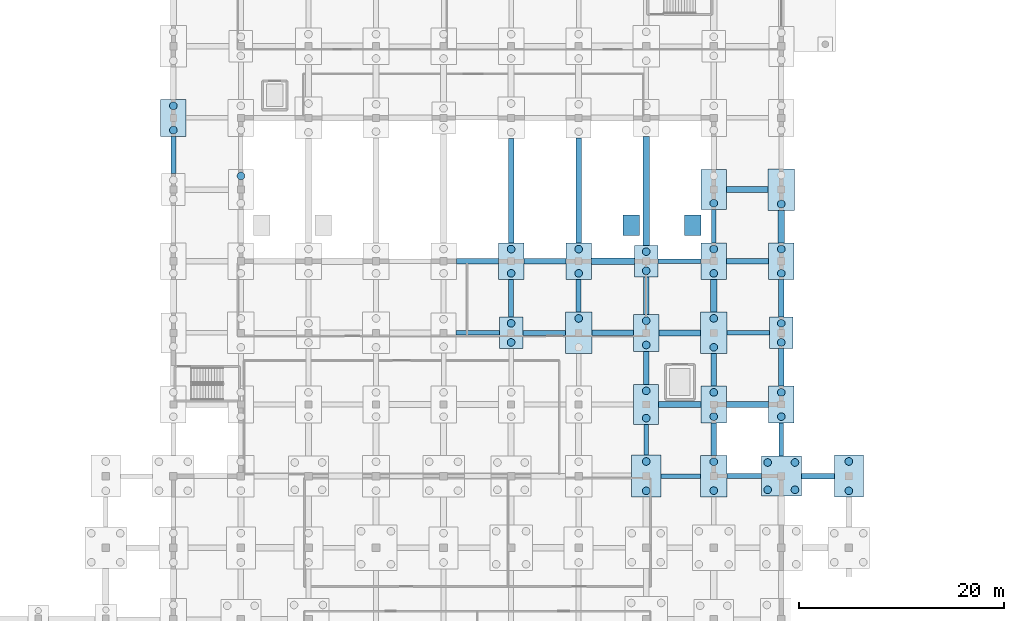
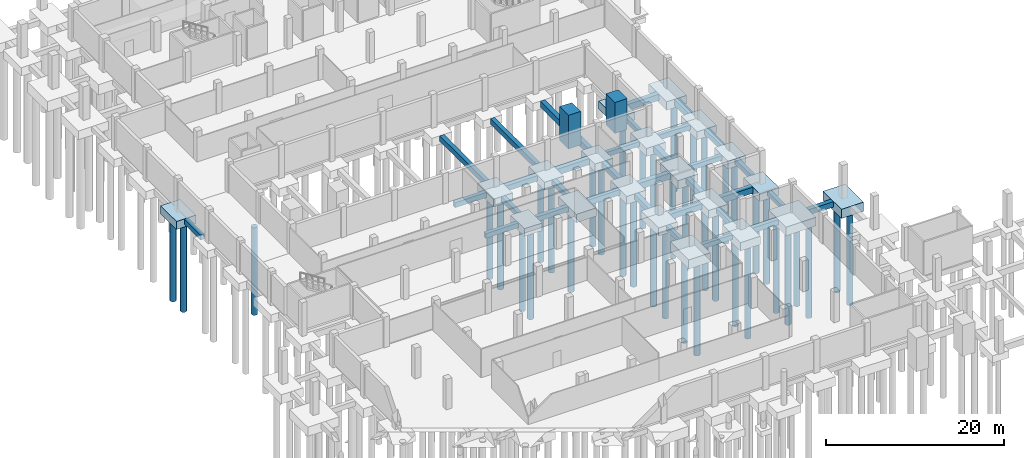
# One storey, part 7 of 27: 55 footings, 40 piles.
"""IFC4 building model written with IfcOpenShell, lengths in metres."""

from ifc_helpers import new_model, si_unit, direction, frame, origin, origin_2d, place, context, subcontext, project, spatial, rectangle, circle, extrude, material, material_profile, profile_set, type_object, element, save


model = new_model("IFC4")

# Units and contexts
model_context = context("Model", 3, precision=1e-05, world=origin(), true_north=direction((0.0, 1.0)))
body_context = subcontext(model_context, "Body", "Model", "MODEL_VIEW")
ifc_project = project(units=[si_unit("LENGTHUNIT", "METRE"), si_unit("AREAUNIT", "SQUARE_METRE"), si_unit("VOLUMEUNIT", "CUBIC_METRE"), si_unit("PLANEANGLEUNIT", "RADIAN"), si_unit("MASSUNIT", "GRAM", prefix="KILO")], contexts=[model_context])

# Site, building, storey
site_placement = place(None, origin())
site = spatial("IfcSite", under=ifc_project, at=site_placement, CompositionType="ELEMENT")
building_placement = place(site_placement, origin())
building = spatial("IfcBuilding", under=site, at=building_placement, Name="Ciguamira Faculty of Natural Sciences", CompositionType="ELEMENT")
storey_placement = place(building_placement, frame((0.0, 0.0, -4.199951171875)))
storey = spatial("IfcBuildingStorey", under=building, at=storey_placement, Name="B1", CompositionType="ELEMENT", Elevation=-4.199951171875)

# Piles
ifc_material = material(Name="Concrete C35/45", Category="concrete")
ifc_material_profile_1 = material_profile(ifc_material, circle(Radius=0.375, at=origin_2d()), Name="PILE-BORED-750")
ifc_profile_set_1 = profile_set([ifc_material_profile_1], Name="Concrete C35/45")
pile_type = type_object("IfcPileType", Name="BoredPile_BP-02_750", PredefinedType="BORED", material=ifc_profile_set_1)
for number, where, z_axis, x_axis, name in (
    (1, (57.300048828125, 71.81494140625, -1.400146484375), (0.0, 0.0, -1.0), (1.0, 0.0, 0.0), "B1 bored pile 043-1"),
    (2, (57.300048828125, 74.18505859375, -1.400146484375), (0.0, 0.0, -1.0), (1.0, 0.0, 0.0), "B1 bored pile 043-2"),
    (3, (63.89990234375, 67.3349609375, -1.400146484375), (0.0, 0.0, -1.0), (1.0, 0.0, 0.0), "B1 bored pile 058-2"),
):
    element("IfcPile", number, at=place(storey_placement, frame(where, z_axis=z_axis, x_axis=x_axis)), inside=storey, type_object=pile_type, Name=name, PredefinedType="BORED", context=body_context, shape_type="SweptSolid", body=[
        extrude(circle(Radius=0.375, at=origin_2d()), origin(), (0.0, 0.0, 1.0), 12.0),
    ])
for number, where, z_axis, x_axis, name in (
    (4, (90.300048828125, 51.06494140625, -1.35009765625), (0.0, 0.0, -1.0), (1.0, 0.0, 0.0), "B1 bored pile 114-1"),
    (5, (90.300048828125, 52.93505859375, -1.35009765625), (0.0, 0.0, -1.0), (1.0, 0.0, 0.0), "B1 bored pile 114-2"),
):
    element("IfcPile", number, at=place(storey_placement, frame(where, z_axis=z_axis, x_axis=x_axis)), inside=storey, type_object=pile_type, Name=name, PredefinedType="BORED", context=body_context, shape_type="SweptSolid", body=[
        extrude(circle(Radius=0.375, at=origin_2d()), origin(), (0.0, 0.0, 1.0), 12.050048828125),
    ])
for number, where, z_axis, x_axis, name in (
    (6, (90.300048828125, 57.81494140625, -1.400146484375), (0.0, 0.0, -1.0), (1.0, 0.0, 0.0), "B1 bored pile 115-1"),
    (7, (90.300048828125, 60.18505859375, -1.400146484375), (0.0, 0.0, -1.0), (1.0, 0.0, 0.0), "B1 bored pile 115-2"),
):
    element("IfcPile", number, at=place(storey_placement, frame(where, z_axis=z_axis, x_axis=x_axis)), inside=storey, type_object=pile_type, Name=name, PredefinedType="BORED", context=body_context, shape_type="SweptSolid", body=[
        extrude(circle(Radius=0.375, at=origin_2d()), origin(), (0.0, 0.0, 1.0), 12.0),
    ])
pile_1_placement = place(storey_placement, frame((96.89990234375, 53.409912109375, -1.449951171875), z_axis=(0.0, 0.0, -1.0), x_axis=(1.0, 0.0, 0.0)))
element("IfcPile", 8, at=pile_1_placement, inside=storey, type_object=pile_type, Name="B1 bored pile 128-2", PredefinedType="BORED", context=body_context, shape_type="SweptSolid", body=[
    extrude(circle(Radius=0.375, at=origin_2d()), origin(), (0.0, 0.0, 1.0), 11.949951171875),
])
for number, where, z_axis, x_axis, name in (
    (9, (96.89990234375, 57.81494140625, -1.400146484375), (0.0, 0.0, -1.0), (1.0, 0.0, 0.0), "B1 bored pile 129-1"),
    (10, (96.89990234375, 60.18505859375, -1.400146484375), (0.0, 0.0, -1.0), (1.0, 0.0, 0.0), "B1 bored pile 129-2"),
):
    element("IfcPile", number, at=place(storey_placement, frame(where, z_axis=z_axis, x_axis=x_axis)), inside=storey, type_object=pile_type, Name=name, PredefinedType="BORED", context=body_context, shape_type="SweptSolid", body=[
        extrude(circle(Radius=0.375, at=origin_2d()), origin(), (0.0, 0.0, 1.0), 12.0),
    ])
for number, where, z_axis, x_axis, name in (
    (11, (103.5, 36.56494140625, -1.550048828125), (0.0, 0.0, -1.0), (1.0, 0.0, 0.0), "B1 bored pile 141-1"),
    (12, (103.5, 39.43505859375, -1.550048828125), (0.0, 0.0, -1.0), (1.0, 0.0, 0.0), "B1 bored pile 141-2"),
):
    element("IfcPile", number, at=place(storey_placement, frame(where, z_axis=z_axis, x_axis=x_axis)), inside=storey, type_object=pile_type, Name=name, PredefinedType="BORED", context=body_context, shape_type="SweptSolid", body=[
        extrude(circle(Radius=0.375, at=origin_2d()), origin(), (0.0, 0.0, 1.0), 12.64990234375),
    ])
for number, where, z_axis, x_axis, name in (
    (13, (103.5, 43.6650390625, -1.400146484375), (0.0, 0.0, -1.0), (1.0, 0.0, 0.0), "B1 bored pile 142-1"),
    (14, (103.5, 46.3349609375, -1.400146484375), (0.0, 0.0, -1.0), (1.0, 0.0, 0.0), "B1 bored pile 142-2"),
    (15, (103.5, 50.81494140625, -1.400146484375), (0.0, 0.0, -1.0), (1.0, 0.0, 0.0), "B1 bored pile 143-1"),
    (16, (103.5, 53.18505859375, -1.400146484375), (0.0, 0.0, -1.0), (1.0, 0.0, 0.0), "B1 bored pile 143-2"),
):
    element("IfcPile", number, at=place(storey_placement, frame(where, z_axis=z_axis, x_axis=x_axis)), inside=storey, type_object=pile_type, Name=name, PredefinedType="BORED", context=body_context, shape_type="SweptSolid", body=[
        extrude(circle(Radius=0.375, at=origin_2d()), origin(), (0.0, 0.0, 1.0), 12.0),
    ])
for number, where, z_axis, x_axis, name in (
    (17, (103.5, 58.06494140625, -1.35009765625), (0.0, 0.0, -1.0), (1.0, 0.0, 0.0), "B1 bored pile 144-1"),
    (18, (103.5, 59.93505859375, -1.35009765625), (0.0, 0.0, -1.0), (1.0, 0.0, 0.0), "B1 bored pile 144-2"),
):
    element("IfcPile", number, at=place(storey_placement, frame(where, z_axis=z_axis, x_axis=x_axis)), inside=storey, type_object=pile_type, Name=name, PredefinedType="BORED", context=body_context, shape_type="SweptSolid", body=[
        extrude(circle(Radius=0.375, at=origin_2d()), origin(), (0.0, 0.0, 1.0), 12.050048828125),
    ])
for number, where, z_axis, x_axis, name in (
    (19, (110.10009765625, 36.590087890625, -1.449951171875), (0.0, 0.0, -1.0), (1.0, 0.0, 0.0), "B1 bored pile 156-1"),
    (20, (110.10009765625, 39.409912109375, -1.449951171875), (0.0, 0.0, -1.0), (1.0, 0.0, 0.0), "B1 bored pile 156-2"),
):
    element("IfcPile", number, at=place(storey_placement, frame(where, z_axis=z_axis, x_axis=x_axis)), inside=storey, type_object=pile_type, Name=name, PredefinedType="BORED", context=body_context, shape_type="SweptSolid", body=[
        extrude(circle(Radius=0.375, at=origin_2d()), origin(), (0.0, 0.0, 1.0), 12.75),
    ])
for number, where, z_axis, x_axis, name in (
    (21, (110.10009765625, 43.81494140625, -1.400146484375), (0.0, 0.0, -1.0), (1.0, 0.0, 0.0), "B1 bored pile 157-1"),
    (22, (110.10009765625, 46.18505859375, -1.400146484375), (0.0, 0.0, -1.0), (1.0, 0.0, 0.0), "B1 bored pile 157-2"),
):
    element("IfcPile", number, at=place(storey_placement, frame(where, z_axis=z_axis, x_axis=x_axis)), inside=storey, type_object=pile_type, Name=name, PredefinedType="BORED", context=body_context, shape_type="SweptSolid", body=[
        extrude(circle(Radius=0.375, at=origin_2d()), origin(), (0.0, 0.0, 1.0), 12.0),
    ])
for number, where, z_axis, x_axis, name in (
    (23, (110.10009765625, 50.590087890625, -1.449951171875), (0.0, 0.0, -1.0), (1.0, 0.0, 0.0), "B1 bored pile 158-1"),
    (24, (110.10009765625, 53.409912109375, -1.449951171875), (0.0, 0.0, -1.0), (1.0, 0.0, 0.0), "B1 bored pile 158-2"),
):
    element("IfcPile", number, at=place(storey_placement, frame(where, z_axis=z_axis, x_axis=x_axis)), inside=storey, type_object=pile_type, Name=name, PredefinedType="BORED", context=body_context, shape_type="SweptSolid", body=[
        extrude(circle(Radius=0.375, at=origin_2d()), origin(), (0.0, 0.0, 1.0), 11.949951171875),
    ])
for number, where, z_axis, x_axis, name in (
    (25, (110.10009765625, 57.81494140625, -1.400146484375), (0.0, 0.0, -1.0), (1.0, 0.0, 0.0), "B1 bored pile 159-1"),
    (26, (110.10009765625, 60.18505859375, -1.400146484375), (0.0, 0.0, -1.0), (1.0, 0.0, 0.0), "B1 bored pile 159-2"),
    (27, (110.10009765625, 64.6650390625, -1.400146484375), (0.0, 0.0, -1.0), (1.0, 0.0, 0.0), "B1 bored pile 160-1"),
):
    element("IfcPile", number, at=place(storey_placement, frame(where, z_axis=z_axis, x_axis=x_axis)), inside=storey, type_object=pile_type, Name=name, PredefinedType="BORED", context=body_context, shape_type="SweptSolid", body=[
        extrude(circle(Radius=0.375, at=origin_2d()), origin(), (0.0, 0.0, 1.0), 12.0),
    ])
for number, where, z_axis, x_axis, name in (
    (28, (115.364990234375, 36.6650390625, -1.5), (0.0, 0.0, -1.0), (1.0, 0.0, 0.0), "B1 bored pile 172-1"),
    (29, (118.034912109375, 36.6650390625, -1.5), (0.0, 0.0, -1.0), (1.0, 0.0, 0.0), "B1 bored pile 172-2"),
    (30, (115.364990234375, 39.3349609375, -1.5), (0.0, 0.0, -1.0), (1.0, 0.0, 0.0), "B1 bored pile 172-3"),
    (31, (118.034912109375, 39.3349609375, -1.5), (0.0, 0.0, -1.0), (1.0, 0.0, 0.0), "B1 bored pile 172-4"),
):
    element("IfcPile", number, at=place(storey_placement, frame(where, z_axis=z_axis, x_axis=x_axis)), inside=storey, type_object=pile_type, Name=name, PredefinedType="BORED", context=body_context, shape_type="SweptSolid", body=[
        extrude(circle(Radius=0.375, at=origin_2d()), origin(), (0.0, 0.0, 1.0), 12.699951171875),
    ])
for number, where, z_axis, x_axis, name in (
    (32, (116.699951171875, 43.81494140625, -1.400146484375), (0.0, 0.0, -1.0), (1.0, 0.0, 0.0), "B1 bored pile 173-1"),
    (33, (116.699951171875, 46.18505859375, -1.400146484375), (0.0, 0.0, -1.0), (1.0, 0.0, 0.0), "B1 bored pile 173-2"),
):
    element("IfcPile", number, at=place(storey_placement, frame(where, z_axis=z_axis, x_axis=x_axis)), inside=storey, type_object=pile_type, Name=name, PredefinedType="BORED", context=body_context, shape_type="SweptSolid", body=[
        extrude(circle(Radius=0.375, at=origin_2d()), origin(), (0.0, 0.0, 1.0), 12.0),
    ])
for number, where, z_axis, x_axis, name in (
    (34, (116.699951171875, 51.06494140625, -1.35009765625), (0.0, 0.0, -1.0), (1.0, 0.0, 0.0), "B1 bored pile 174-1"),
    (35, (116.699951171875, 52.93505859375, -1.35009765625), (0.0, 0.0, -1.0), (1.0, 0.0, 0.0), "B1 bored pile 174-2"),
):
    element("IfcPile", number, at=place(storey_placement, frame(where, z_axis=z_axis, x_axis=x_axis)), inside=storey, type_object=pile_type, Name=name, PredefinedType="BORED", context=body_context, shape_type="SweptSolid", body=[
        extrude(circle(Radius=0.375, at=origin_2d()), origin(), (0.0, 0.0, 1.0), 12.050048828125),
    ])
for number, where, z_axis, x_axis, name in (
    (36, (116.699951171875, 57.81494140625, -1.400146484375), (0.0, 0.0, -1.0), (1.0, 0.0, 0.0), "B1 bored pile 175-1"),
    (37, (116.699951171875, 60.18505859375, -1.400146484375), (0.0, 0.0, -1.0), (1.0, 0.0, 0.0), "B1 bored pile 175-2"),
):
    element("IfcPile", number, at=place(storey_placement, frame(where, z_axis=z_axis, x_axis=x_axis)), inside=storey, type_object=pile_type, Name=name, PredefinedType="BORED", context=body_context, shape_type="SweptSolid", body=[
        extrude(circle(Radius=0.375, at=origin_2d()), origin(), (0.0, 0.0, 1.0), 12.0),
    ])
pile_2_placement = place(storey_placement, frame((116.699951171875, 64.590087890625, -1.449951171875), z_axis=(0.0, 0.0, -1.0), x_axis=(1.0, 0.0, 0.0)))
element("IfcPile", 38, at=pile_2_placement, inside=storey, type_object=pile_type, Name="B1 bored pile 176-1", PredefinedType="BORED", context=body_context, shape_type="SweptSolid", body=[
    extrude(circle(Radius=0.375, at=origin_2d()), origin(), (0.0, 0.0, 1.0), 11.949951171875),
])
for number, where, z_axis, x_axis, name in (
    (39, (123.300048828125, 36.56494140625, -1.550048828125), (0.0, 0.0, -1.0), (1.0, 0.0, 0.0), "B1 bored pile 189-1"),
    (40, (123.300048828125, 39.43505859375, -1.550048828125), (0.0, 0.0, -1.0), (1.0, 0.0, 0.0), "B1 bored pile 189-2"),
):
    element("IfcPile", number, at=place(storey_placement, frame(where, z_axis=z_axis, x_axis=x_axis)), inside=storey, type_object=pile_type, Name=name, PredefinedType="BORED", context=body_context, shape_type="SweptSolid", body=[
        extrude(circle(Radius=0.375, at=origin_2d()), origin(), (0.0, 0.0, 1.0), 12.64990234375),
    ])

# Footings
ifc_material_profile_2 = material_profile(ifc_material, rectangle(XDim=0.449951171875, YDim=0.64990234375, at=origin_2d()), Name="RC-FB-450X650")
ifc_profile_set_2 = profile_set([ifc_material_profile_2], Name="Concrete C35/45")
footing_type_1 = type_object("IfcFootingType", Name="FootingBeam_FB-01_450x650", PredefinedType="FOOTING_BEAM", material=ifc_profile_set_2)
footing_1_placement = place(storey_placement, frame((104.925048828125, 38.0, -0.72509765625), z_axis=(1.0, 0.0, 0.0), x_axis=(0.0, 1.0, 0.0)))
element("IfcFooting", 41, at=footing_1_placement, inside=storey, type_object=footing_type_1, Name="B1 ground tie beam 0097", PredefinedType="FOOTING_BEAM", context=body_context, shape_type="SweptSolid", body=[
    extrude(rectangle(XDim=0.449951171875, YDim=0.64990234375, at=origin_2d()), origin(), (0.0, 0.0, 1.0), 3.875),
])
footing_2_placement = place(storey_placement, frame((84.925048828125, 52.0, -0.72509765625), z_axis=(1.0, 0.0, 0.0), x_axis=(0.0, 1.0, 0.0)))
element("IfcFooting", 42, at=footing_2_placement, inside=storey, type_object=footing_type_1, Name="B1 ground tie beam 0113", PredefinedType="FOOTING_BEAM", context=body_context, shape_type="SweptSolid", body=[
    extrude(rectangle(XDim=0.449951171875, YDim=0.64990234375, at=origin_2d()), origin(), (0.0, 0.0, 1.0), 4.224853515625),
])
footing_3_placement = place(storey_placement, frame((111.39990234375, 52.0, -0.72509765625), z_axis=(1.0, 0.0, 0.0), x_axis=(0.0, 1.0, 0.0)))
element("IfcFooting", 43, at=footing_3_placement, inside=storey, type_object=footing_type_1, Name="B1 ground tie beam 0117", PredefinedType="FOOTING_BEAM", context=body_context, shape_type="SweptSolid", body=[
    extrude(rectangle(XDim=0.449951171875, YDim=0.64990234375, at=origin_2d()), origin(), (0.0, 0.0, 1.0), 4.150146484375),
])
footing_4_placement = place(storey_placement, frame((104.64990234375, 59.0, -0.72509765625), z_axis=(1.0, 0.0, 0.0), x_axis=(0.0, 1.0, 0.0)))
element("IfcFooting", 44, at=footing_4_placement, inside=storey, type_object=footing_type_1, Name="B1 ground tie beam 0125", PredefinedType="FOOTING_BEAM", context=body_context, shape_type="SweptSolid", body=[
    extrude(rectangle(XDim=0.449951171875, YDim=0.64990234375, at=origin_2d()), origin(), (0.0, 0.0, 1.0), 4.2001953125),
])
footing_5_placement = place(storey_placement, frame((103.5, 40.050048828125, -0.72509765625), z_axis=(0.0, 1.0, 0.0), x_axis=(-1.0, 0.0, 0.0)))
element("IfcFooting", 45, at=footing_5_placement, inside=storey, type_object=footing_type_1, Name="B1 ground tie beam 0313", PredefinedType="FOOTING_BEAM", context=body_context, shape_type="SweptSolid", body=[
    extrude(rectangle(XDim=0.449951171875, YDim=0.64990234375, at=origin_2d()), origin(), (0.0, 0.0, 1.0), 3.0),
])
for number, where, z_axis, x_axis, name in (
    (46, (110.10009765625, 60.800048828125, -0.72509765625), (0.0, 1.0, 0.0), (-1.0, 0.0, 0.0), "B1 ground tie beam 0329"),
    (47, (116.699951171875, 39.949951171875, -0.72509765625), (0.0, 1.0, 0.0), (-1.0, 0.0, 0.0), "B1 ground tie beam 0341"),
):
    element("IfcFooting", number, at=place(storey_placement, frame(where, z_axis=z_axis, x_axis=x_axis)), inside=storey, type_object=footing_type_1, Name=name, PredefinedType="FOOTING_BEAM", context=body_context, shape_type="SweptSolid", body=[
        extrude(rectangle(XDim=0.449951171875, YDim=0.64990234375, at=origin_2d()), origin(), (0.0, 0.0, 1.0), 3.25),
    ])
ifc_material_profile_3 = material_profile(ifc_material, rectangle(XDim=0.5, YDim=0.699951171875, at=origin_2d()), Name="RC-FB-500X700")
ifc_profile_set_3 = profile_set([ifc_material_profile_3], Name="Concrete C35/45")
footing_type_2 = type_object("IfcFootingType", Name="FootingBeam_FB-02_500x700", PredefinedType="FOOTING_BEAM", material=ifc_profile_set_3)
footing_6_placement = place(storey_placement, frame((111.39990234375, 38.0, -0.75), z_axis=(1.0, 0.0, 0.0), x_axis=(0.0, 1.0, 0.0)))
element("IfcFooting", 48, at=footing_6_placement, inside=storey, type_object=footing_type_2, Name="B1 ground tie beam 0098", PredefinedType="FOOTING_BEAM", context=body_context, shape_type="SweptSolid", body=[
    extrude(rectangle(XDim=0.5, YDim=0.699951171875, at=origin_2d()), origin(), (0.0, 0.0, 1.0), 3.35009765625),
])
footing_7_placement = place(storey_placement, frame((91.449951171875, 52.0, -0.75), z_axis=(1.0, 0.0, 0.0), x_axis=(0.0, 1.0, 0.0)))
element("IfcFooting", 49, at=footing_7_placement, inside=storey, type_object=footing_type_2, Name="B1 ground tie beam 0114", PredefinedType="FOOTING_BEAM", context=body_context, shape_type="SweptSolid", body=[
    extrude(rectangle(XDim=0.5, YDim=0.699951171875, at=origin_2d()), origin(), (0.0, 0.0, 1.0), 4.150146484375),
])
footing_8_placement = place(storey_placement, frame((84.949951171875, 59.0, -0.75), z_axis=(1.0, 0.0, 0.0), x_axis=(0.0, 1.0, 0.0)))
element("IfcFooting", 50, at=footing_8_placement, inside=storey, type_object=footing_type_2, Name="B1 ground tie beam 0122", PredefinedType="FOOTING_BEAM", context=body_context, shape_type="SweptSolid", body=[
    extrude(rectangle(XDim=0.5, YDim=0.699951171875, at=origin_2d()), origin(), (0.0, 0.0, 1.0), 4.10009765625),
])
footing_9_placement = place(storey_placement, frame((111.35009765625, 59.0, -0.75), z_axis=(1.0, 0.0, 0.0), x_axis=(0.0, 1.0, 0.0)))
element("IfcFooting", 51, at=footing_9_placement, inside=storey, type_object=footing_type_2, Name="B1 ground tie beam 0126", PredefinedType="FOOTING_BEAM", context=body_context, shape_type="SweptSolid", body=[
    extrude(rectangle(XDim=0.5, YDim=0.699951171875, at=origin_2d()), origin(), (0.0, 0.0, 1.0), 4.099853515625),
])
for number, where, z_axis, x_axis, name in (
    (52, (57.300048828125, 67.550048828125, -0.75), (0.0, 1.0, 0.0), (-1.0, 0.0, 0.0), "B1 ground tie beam 0226"),
    (53, (90.300048828125, 53.550048828125, -0.75), (0.0, 1.0, 0.0), (-1.0, 0.0, 0.0), "B1 ground tie beam 0290"),
):
    element("IfcFooting", number, at=place(storey_placement, frame(where, z_axis=z_axis, x_axis=x_axis)), inside=storey, type_object=footing_type_2, Name=name, PredefinedType="FOOTING_BEAM", context=body_context, shape_type="SweptSolid", body=[
        extrude(rectangle(XDim=0.5, YDim=0.699951171875, at=origin_2d()), origin(), (0.0, 0.0, 1.0), 3.64990234375),
    ])
footing_10_placement = place(storey_placement, frame((96.89990234375, 54.02490234375, -0.75), z_axis=(0.0, 1.0, 0.0), x_axis=(-1.0, 0.0, 0.0)))
element("IfcFooting", 54, at=footing_10_placement, inside=storey, type_object=footing_type_2, Name="B1 ground tie beam 0302", PredefinedType="FOOTING_BEAM", context=body_context, shape_type="SweptSolid", body=[
    extrude(rectangle(XDim=0.5, YDim=0.699951171875, at=origin_2d()), origin(), (0.0, 0.0, 1.0), 3.175048828125),
])
footing_11_placement = place(storey_placement, frame((103.5, 46.949951171875, -0.75), z_axis=(0.0, 1.0, 0.0), x_axis=(-1.0, 0.0, 0.0)))
element("IfcFooting", 55, at=footing_11_placement, inside=storey, type_object=footing_type_2, Name="B1 ground tie beam 0314", PredefinedType="FOOTING_BEAM", context=body_context, shape_type="SweptSolid", body=[
    extrude(rectangle(XDim=0.5, YDim=0.699951171875, at=origin_2d()), origin(), (0.0, 0.0, 1.0), 3.25),
])
footing_12_placement = place(storey_placement, frame((110.10009765625, 40.02490234375, -0.75), z_axis=(0.0, 1.0, 0.0), x_axis=(-1.0, 0.0, 0.0)))
element("IfcFooting", 56, at=footing_12_placement, inside=storey, type_object=footing_type_2, Name="B1 ground tie beam 0326", PredefinedType="FOOTING_BEAM", context=body_context, shape_type="SweptSolid", body=[
    extrude(rectangle(XDim=0.5, YDim=0.699951171875, at=origin_2d()), origin(), (0.0, 0.0, 1.0), 3.175048828125),
])
footing_13_placement = place(storey_placement, frame((116.699951171875, 46.800048828125, -0.75), z_axis=(0.0, 1.0, 0.0), x_axis=(-1.0, 0.0, 0.0)))
element("IfcFooting", 57, at=footing_13_placement, inside=storey, type_object=footing_type_2, Name="B1 ground tie beam 0342", PredefinedType="FOOTING_BEAM", context=body_context, shape_type="SweptSolid", body=[
    extrude(rectangle(XDim=0.5, YDim=0.699951171875, at=origin_2d()), origin(), (0.0, 0.0, 1.0), 3.64990234375),
])
ifc_material_profile_4 = material_profile(ifc_material, rectangle(XDim=0.550048828125, YDim=0.75, at=origin_2d()), Name="RC-FB-550X750")
ifc_profile_set_4 = profile_set([ifc_material_profile_4], Name="Concrete C35/45")
footing_type_3 = type_object("IfcFootingType", Name="FootingBeam_FB-03_550x750", PredefinedType="FOOTING_BEAM", material=ifc_profile_set_4)
footing_14_placement = place(storey_placement, frame((118.64990234375, 38.0, -0.775146484375), z_axis=(1.0, 0.0, 0.0), x_axis=(0.0, 1.0, 0.0)))
element("IfcFooting", 58, at=footing_14_placement, inside=storey, type_object=footing_type_3, Name="B1 ground tie beam 0099", PredefinedType="FOOTING_BEAM", context=body_context, shape_type="SweptSolid", body=[
    extrude(rectangle(XDim=0.550048828125, YDim=0.75, at=origin_2d()), origin(), (0.0, 0.0, 1.0), 3.22509765625),
])
footing_15_placement = place(storey_placement, frame((104.72509765625, 45.0, -0.775146484375), z_axis=(1.0, 0.0, 0.0), x_axis=(0.0, 1.0, 0.0)))
element("IfcFooting", 59, at=footing_15_placement, inside=storey, type_object=footing_type_3, Name="B1 ground tie beam 0107", PredefinedType="FOOTING_BEAM", context=body_context, shape_type="SweptSolid", body=[
    extrude(rectangle(XDim=0.550048828125, YDim=0.75, at=origin_2d()), origin(), (0.0, 0.0, 1.0), 4.125),
])
footing_16_placement = place(storey_placement, frame((98.199951171875, 52.0, -0.775146484375), z_axis=(1.0, 0.0, 0.0), x_axis=(0.0, 1.0, 0.0)))
element("IfcFooting", 60, at=footing_16_placement, inside=storey, type_object=footing_type_3, Name="B1 ground tie beam 0115", PredefinedType="FOOTING_BEAM", context=body_context, shape_type="SweptSolid", body=[
    extrude(rectangle(XDim=0.550048828125, YDim=0.75, at=origin_2d()), origin(), (0.0, 0.0, 1.0), 4.050048828125),
])
footing_17_placement = place(storey_placement, frame((91.550048828125, 59.0, -0.775146484375), z_axis=(1.0, 0.0, 0.0), x_axis=(0.0, 1.0, 0.0)))
element("IfcFooting", 61, at=footing_17_placement, inside=storey, type_object=footing_type_3, Name="B1 ground tie beam 0123", PredefinedType="FOOTING_BEAM", context=body_context, shape_type="SweptSolid", body=[
    extrude(rectangle(XDim=0.550048828125, YDim=0.75, at=origin_2d()), origin(), (0.0, 0.0, 1.0), 4.099853515625),
])
footing_18_placement = place(storey_placement, frame((90.300048828125, 60.800048828125, -0.775146484375), z_axis=(0.0, 1.0, 0.0), x_axis=(-1.0, 0.0, 0.0)))
element("IfcFooting", 62, at=footing_18_placement, inside=storey, type_object=footing_type_3, Name="B1 ground tie beam 0291", PredefinedType="FOOTING_BEAM", context=body_context, shape_type="SweptSolid", body=[
    extrude(rectangle(XDim=0.550048828125, YDim=0.75, at=origin_2d()), origin(), (0.0, 0.0, 1.0), 10.175048828125),
])
footing_19_placement = place(storey_placement, frame((96.89990234375, 60.800048828125, -0.775146484375), z_axis=(0.0, 1.0, 0.0), x_axis=(-1.0, 0.0, 0.0)))
element("IfcFooting", 63, at=footing_19_placement, inside=storey, type_object=footing_type_3, Name="B1 ground tie beam 0303", PredefinedType="FOOTING_BEAM", context=body_context, shape_type="SweptSolid", body=[
    extrude(rectangle(XDim=0.550048828125, YDim=0.75, at=origin_2d()), origin(), (0.0, 0.0, 1.0), 10.25),
])
footing_20_placement = place(storey_placement, frame((103.5, 53.800048828125, -0.775146484375), z_axis=(0.0, 1.0, 0.0), x_axis=(-1.0, 0.0, 0.0)))
element("IfcFooting", 64, at=footing_20_placement, inside=storey, type_object=footing_type_3, Name="B1 ground tie beam 0315", PredefinedType="FOOTING_BEAM", context=body_context, shape_type="SweptSolid", body=[
    extrude(rectangle(XDim=0.550048828125, YDim=0.75, at=origin_2d()), origin(), (0.0, 0.0, 1.0), 3.64990234375),
])
footing_21_placement = place(storey_placement, frame((110.10009765625, 46.800048828125, -0.775146484375), z_axis=(0.0, 1.0, 0.0), x_axis=(-1.0, 0.0, 0.0)))
element("IfcFooting", 65, at=footing_21_placement, inside=storey, type_object=footing_type_3, Name="B1 ground tie beam 0327", PredefinedType="FOOTING_BEAM", context=body_context, shape_type="SweptSolid", body=[
    extrude(rectangle(XDim=0.550048828125, YDim=0.75, at=origin_2d()), origin(), (0.0, 0.0, 1.0), 3.175048828125),
])
footing_22_placement = place(storey_placement, frame((116.699951171875, 53.550048828125, -0.775146484375), z_axis=(0.0, 1.0, 0.0), x_axis=(-1.0, 0.0, 0.0)))
element("IfcFooting", 66, at=footing_22_placement, inside=storey, type_object=footing_type_3, Name="B1 ground tie beam 0343", PredefinedType="FOOTING_BEAM", context=body_context, shape_type="SweptSolid", body=[
    extrude(rectangle(XDim=0.550048828125, YDim=0.75, at=origin_2d()), origin(), (0.0, 0.0, 1.0), 3.64990234375),
])
ifc_material_profile_5 = material_profile(ifc_material, rectangle(XDim=0.60009765625, YDim=0.85009765625, at=origin_2d()), Name="RC-FB-600X850")
ifc_profile_set_5 = profile_set([ifc_material_profile_5], Name="Concrete C35/45")
footing_type_4 = type_object("IfcFootingType", Name="FootingBeam_FB-04_600x850", PredefinedType="FOOTING_BEAM", material=ifc_profile_set_5)
footing_23_placement = place(storey_placement, frame((111.35009765625, 45.0, -0.824951171875), z_axis=(1.0, 0.0, 0.0), x_axis=(0.0, 1.0, 0.0)))
element("IfcFooting", 67, at=footing_23_placement, inside=storey, type_object=footing_type_4, Name="B1 ground tie beam 0108", PredefinedType="FOOTING_BEAM", context=body_context, shape_type="SweptSolid", body=[
    extrude(rectangle(XDim=0.60009765625, YDim=0.85009765625, at=origin_2d()), origin(), (0.0, 0.0, 1.0), 4.099853515625),
])
footing_24_placement = place(storey_placement, frame((104.75, 52.0, -0.824951171875), z_axis=(1.0, 0.0, 0.0), x_axis=(0.0, 1.0, 0.0)))
element("IfcFooting", 68, at=footing_24_placement, inside=storey, type_object=footing_type_4, Name="B1 ground tie beam 0116", PredefinedType="FOOTING_BEAM", context=body_context, shape_type="SweptSolid", body=[
    extrude(rectangle(XDim=0.60009765625, YDim=0.85009765625, at=origin_2d()), origin(), (0.0, 0.0, 1.0), 4.050048828125),
])
footing_25_placement = place(storey_placement, frame((98.14990234375, 59.0, -0.824951171875), z_axis=(1.0, 0.0, 0.0), x_axis=(0.0, 1.0, 0.0)))
element("IfcFooting", 69, at=footing_25_placement, inside=storey, type_object=footing_type_4, Name="B1 ground tie beam 0124", PredefinedType="FOOTING_BEAM", context=body_context, shape_type="SweptSolid", body=[
    extrude(rectangle(XDim=0.60009765625, YDim=0.85009765625, at=origin_2d()), origin(), (0.0, 0.0, 1.0), 4.2001953125),
])
footing_26_placement = place(storey_placement, frame((111.324951171875, 66.0, -0.824951171875), z_axis=(1.0, 0.0, 0.0), x_axis=(0.0, 1.0, 0.0)))
element("IfcFooting", 70, at=footing_26_placement, inside=storey, type_object=footing_type_4, Name="B1 ground tie beam 0128", PredefinedType="FOOTING_BEAM", context=body_context, shape_type="SweptSolid", body=[
    extrude(rectangle(XDim=0.60009765625, YDim=0.85009765625, at=origin_2d()), origin(), (0.0, 0.0, 1.0), 4.074951171875),
])
footing_27_placement = place(storey_placement, frame((103.5, 60.550048828125, -0.824951171875), z_axis=(0.0, 1.0, 0.0), x_axis=(-1.0, 0.0, 0.0)))
element("IfcFooting", 71, at=footing_27_placement, inside=storey, type_object=footing_type_4, Name="B1 ground tie beam 0316", PredefinedType="FOOTING_BEAM", context=body_context, shape_type="SweptSolid", body=[
    extrude(rectangle(XDim=0.60009765625, YDim=0.85009765625, at=origin_2d()), origin(), (0.0, 0.0, 1.0), 10.64990234375),
])
for number, where, z_axis, x_axis, name in (
    (72, (110.10009765625, 54.02490234375, -0.824951171875), (0.0, 1.0, 0.0), (-1.0, 0.0, 0.0), "B1 ground tie beam 0328"),
    (73, (116.699951171875, 60.800048828125, -0.824951171875), (0.0, 1.0, 0.0), (-1.0, 0.0, 0.0), "B1 ground tie beam 0344"),
):
    element("IfcFooting", number, at=place(storey_placement, frame(where, z_axis=z_axis, x_axis=x_axis)), inside=storey, type_object=footing_type_4, Name=name, PredefinedType="FOOTING_BEAM", context=body_context, shape_type="SweptSolid", body=[
        extrude(rectangle(XDim=0.60009765625, YDim=0.85009765625, at=origin_2d()), origin(), (0.0, 0.0, 1.0), 3.175048828125),
    ])
footing_type_5 = type_object("IfcFootingType", Name="PileCap_PC-03_230x310x105", PredefinedType="PILE_CAP", material=ifc_material)
for number, where, z_axis, x_axis, name in (
    (74, (90.300048828125, 52.0, -1.4501953125), (0.0, 0.0, 1.0), (1.0, 0.0, 0.0), "B1 pile cap PC-03 at (90.3, 52.0)"),
    (75, (103.5, 59.0, -1.4501953125), (0.0, 0.0, 1.0), (1.0, 0.0, 0.0), "B1 pile cap PC-03 at (103.5, 59.0)"),
    (76, (116.699951171875, 52.0, -1.4501953125), (0.0, 0.0, 1.0), (1.0, 0.0, 0.0), "B1 pile cap PC-03 at (116.7, 52.0)"),
):
    element("IfcFooting", number, at=place(storey_placement, frame(where, z_axis=z_axis, x_axis=x_axis)), inside=storey, type_object=footing_type_5, Name=name, PredefinedType="PILE_CAP", context=body_context, shape_type="SweptSolid", body=[
        extrude(rectangle(XDim=2.300048828125, YDim=3.10009765625, at=origin_2d()), origin(), (0.0, 0.0, 1.0), 1.050048828125),
    ])
footing_type_6 = type_object("IfcFootingType", Name="PileCap_PC-04_245x390x110", PredefinedType="PILE_CAP", material=ifc_material)
for number, where, z_axis, x_axis, name in (
    (77, (103.5, 45.0, -1.5), (0.0, 0.0, 1.0), (1.0, 0.0, 0.0), "B1 pile cap PC-04 at (103.5, 45.0)"),
    (78, (110.10009765625, 66.0, -1.5), (0.0, 0.0, 1.0), (1.0, 0.0, 0.0), "B1 pile cap PC-04 at (110.1, 66.0)"),
):
    element("IfcFooting", number, at=place(storey_placement, frame(where, z_axis=z_axis, x_axis=x_axis)), inside=storey, type_object=footing_type_6, Name=name, PredefinedType="PILE_CAP", context=body_context, shape_type="SweptSolid", body=[
        extrude(rectangle(XDim=2.449951171875, YDim=3.89990234375, at=origin_2d()), origin(), (0.0, 0.0, 1.0), 1.10009765625),
    ])
footing_type_7 = type_object("IfcFootingType", Name="PileCap_PC-05_260x405x115", PredefinedType="PILE_CAP", material=ifc_material)
for number, where, z_axis, x_axis, name in (
    (79, (96.89990234375, 52.0, -1.550048828125), (0.0, 0.0, 1.0), (1.0, 0.0, 0.0), "B1 pile cap PC-05 at (96.9, 52.0)"),
    (80, (110.10009765625, 38.0, -1.550048828125), (0.0, 0.0, 1.0), (1.0, 0.0, 0.0), "B1 pile cap PC-05 at (110.1, 38.0)"),
    (81, (110.10009765625, 52.0, -1.550048828125), (0.0, 0.0, 1.0), (1.0, 0.0, 0.0), "B1 pile cap PC-05 at (110.1, 52.0)"),
    (82, (116.699951171875, 66.0, -1.550048828125), (0.0, 0.0, 1.0), (1.0, 0.0, 0.0), "B1 pile cap PC-05 at (116.7, 66.0)"),
):
    element("IfcFooting", number, at=place(storey_placement, frame(where, z_axis=z_axis, x_axis=x_axis)), inside=storey, type_object=footing_type_7, Name=name, PredefinedType="PILE_CAP", context=body_context, shape_type="SweptSolid", body=[
        extrude(rectangle(XDim=2.60009765625, YDim=4.050048828125, at=origin_2d()), origin(), (0.0, 0.0, 1.0), 1.14990234375),
    ])
footing_type_8 = type_object("IfcFootingType", Name="PileCap_PC-06_390x390x120", PredefinedType="PILE_CAP", material=ifc_material)
footing_28_placement = place(storey_placement, frame((116.699951171875, 38.0, -1.60009765625), z_axis=(0.0, 0.0, 1.0), x_axis=(1.0, 0.0, 0.0)))
element("IfcFooting", 83, at=footing_28_placement, inside=storey, type_object=footing_type_8, Name="B1 pile cap PC-06 at (116.7, 38.0)", PredefinedType="PILE_CAP", context=body_context, shape_type="SweptSolid", body=[
    extrude(rectangle(XDim=3.89990234375, YDim=3.89990234375, at=origin_2d()), origin(), (0.0, 0.0, 1.0), 1.199951171875),
])
footing_type_9 = type_object("IfcFootingType", Name="PileCap_PC-12_250x360x110", PredefinedType="PILE_CAP", material=ifc_material)
for number, where, z_axis, x_axis, name in (
    (84, (57.300048828125, 73.0, -1.5), (0.0, 0.0, 1.0), (1.0, 0.0, 0.0), "B1 pile cap PC-12 at (57.3, 73.0)"),
    (85, (90.300048828125, 59.0, -1.5), (0.0, 0.0, 1.0), (1.0, 0.0, 0.0), "B1 pile cap PC-12 at (90.3, 59.0)"),
    (86, (96.89990234375, 59.0, -1.5), (0.0, 0.0, 1.0), (1.0, 0.0, 0.0), "B1 pile cap PC-12 at (96.9, 59.0)"),
    (87, (103.5, 52.0, -1.5), (0.0, 0.0, 1.0), (1.0, 0.0, 0.0), "B1 pile cap PC-12 at (103.5, 52.0)"),
    (88, (110.10009765625, 45.0, -1.5), (0.0, 0.0, 1.0), (1.0, 0.0, 0.0), "B1 pile cap PC-12 at (110.1, 45.0)"),
    (89, (110.10009765625, 59.0, -1.5), (0.0, 0.0, 1.0), (1.0, 0.0, 0.0), "B1 pile cap PC-12 at (110.1, 59.0)"),
    (90, (116.699951171875, 45.0, -1.5), (0.0, 0.0, 1.0), (1.0, 0.0, 0.0), "B1 pile cap PC-12 at (116.7, 45.0)"),
    (91, (116.699951171875, 59.0, -1.5), (0.0, 0.0, 1.0), (1.0, 0.0, 0.0), "B1 pile cap PC-12 at (116.7, 59.0)"),
):
    element("IfcFooting", number, at=place(storey_placement, frame(where, z_axis=z_axis, x_axis=x_axis)), inside=storey, type_object=footing_type_9, Name=name, PredefinedType="PILE_CAP", context=body_context, shape_type="SweptSolid", body=[
        extrude(rectangle(XDim=2.5, YDim=3.60009765625, at=origin_2d()), origin(), (0.0, 0.0, 1.0), 1.10009765625),
    ])
footing_type_10 = type_object("IfcFootingType", Name="PileCap_PC-14_285x410x125", PredefinedType="PILE_CAP", material=ifc_material)
for number, where, z_axis, x_axis, name in (
    (92, (103.5, 38.0, -1.650146484375), (0.0, 0.0, 1.0), (1.0, 0.0, 0.0), "B1 pile cap PC-14 at (103.5, 38.0)"),
    (93, (123.300048828125, 38.0, -1.650146484375), (0.0, 0.0, 1.0), (1.0, 0.0, 0.0), "B1 pile cap PC-14 at (123.3, 38.0)"),
):
    element("IfcFooting", number, at=place(storey_placement, frame(where, z_axis=z_axis, x_axis=x_axis)), inside=storey, type_object=footing_type_10, Name=name, PredefinedType="PILE_CAP", context=body_context, shape_type="SweptSolid", body=[
        extrude(rectangle(XDim=2.85009765625, YDim=4.10009765625, at=origin_2d()), origin(), (0.0, 0.0, 1.0), 1.25),
    ])
footing_type_11 = type_object("IfcFootingType", Name="RampFootPad_RFP01", PredefinedType="PAD_FOOTING", material=ifc_material)
footing_29_placement = place(storey_placement, frame((108.050048828125, 62.5, -0.400146484375), z_axis=(0.0, 0.0, 1.0), x_axis=(-1.0, 0.0, 0.0)))
element("IfcFooting", 94, at=footing_29_placement, inside=storey, type_object=footing_type_11, Name="Karst Court East Accessible Ramp foundation pier", PredefinedType="PAD_FOOTING", context=body_context, shape_type="SweptSolid", body=[
    extrude(rectangle(XDim=1.60009765625, YDim=2.0, at=origin_2d()), origin(), (0.0, 0.0, 1.0), 4.25),
])
footing_type_12 = type_object("IfcFootingType", Name="RampFootPad_RFP02", PredefinedType="PAD_FOOTING", material=ifc_material)
footing_30_placement = place(storey_placement, frame((102.050048828125, 62.5, -0.400146484375), z_axis=(0.0, 0.0, 1.0), x_axis=(-1.0, 0.0, 0.0)))
element("IfcFooting", 95, at=footing_30_placement, inside=storey, type_object=footing_type_12, Name="Karst Court East Accessible Ramp upper landing pier", PredefinedType="PAD_FOOTING", context=body_context, shape_type="SweptSolid", body=[
    extrude(rectangle(XDim=1.60009765625, YDim=2.0, at=origin_2d()), origin(), (0.0, 0.0, 1.0), 4.60009765625),
])

save(model, "model.ifc")
